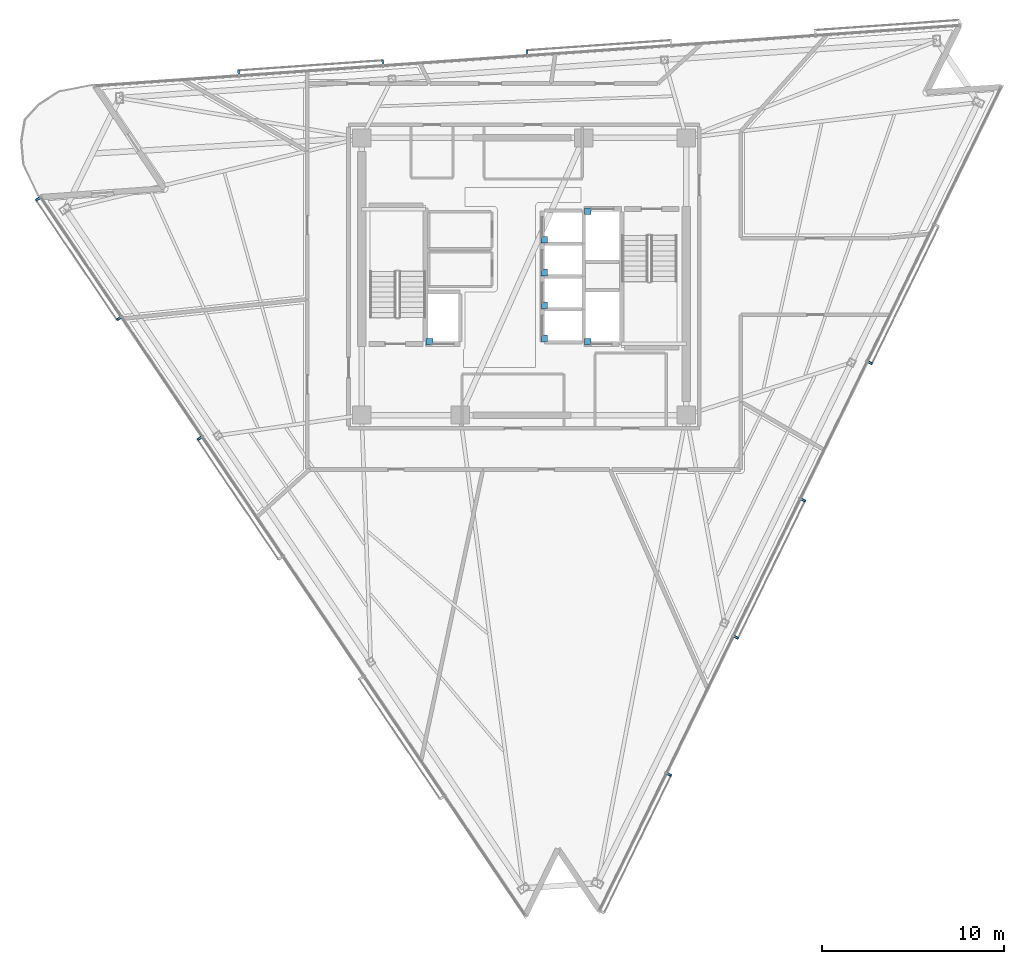
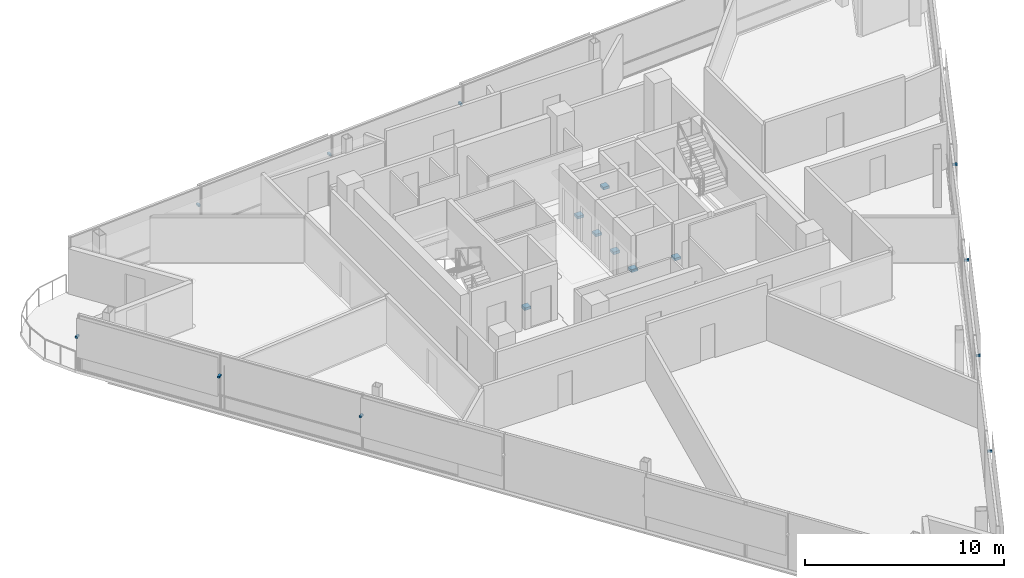
# One storey, part 12 of 16: 17 discrete accessories.
"""IFC4 building model written with IfcOpenShell, lengths in metres."""

from ifc_helpers import new_model, si_unit, direction, frame, origin, origin_2d, place, context, subcontext, project, spatial, rectangle, extrude, material, type_object, element, save


model = new_model("IFC4")

# Units and contexts
model_context = context("Model", 3, precision=1e-05, world=origin(), true_north=direction((0.0, 1.0)))
body_context = subcontext(model_context, "Body", "Model", "MODEL_VIEW")
ifc_project = project(units=[si_unit("LENGTHUNIT", "METRE"), si_unit("AREAUNIT", "SQUARE_METRE"), si_unit("VOLUMEUNIT", "CUBIC_METRE"), si_unit("PLANEANGLEUNIT", "RADIAN"), si_unit("MASSUNIT", "GRAM", prefix="KILO")], contexts=[model_context])

# Site, building, storey
site_placement = place(None, origin())
site = spatial("IfcSite", under=ifc_project, at=site_placement, CompositionType="ELEMENT")
building_placement = place(site_placement, origin())
building = spatial("IfcBuilding", under=site, at=building_placement, Name="Tharavind Bronze Gate", CompositionType="ELEMENT")
storey_placement = place(building_placement, frame((0.0, 0.0, 260.60009765625)))
storey = spatial("IfcBuildingStorey", under=building, at=storey_placement, Name="L67", CompositionType="ELEMENT", Elevation=260.60009765625)

# Discrete accessories
ifc_material_1 = material(Name="Galvanised Steel S355", Category="steel")
discrete_accessory_type_1 = type_object("IfcDiscreteAccessoryType", Name="LIFT GUIDE RAIL BRACKET", PredefinedType="BRACKET", material=ifc_material_1)
for number, where, z_axis, x_axis, name in (
    (1, (1.1201171875, -3.3798828125, 1.1201171875), (0.0, 0.0, 1.0), (1.0, 0.0, 0.0), "Lift PL9 guide rail bracket at L67"),
    (2, (1.1201171875, -1.580078125, 1.1201171875), (0.0, 0.0, 1.0), (1.0, 0.0, 0.0), "Lift PL10 guide rail bracket at L67"),
    (3, (1.1201171875, 0.219970703125, 1.1201171875), (0.0, 0.0, 1.0), (1.0, 0.0, 0.0), "Lift PL11 guide rail bracket at L67"),
    (4, (1.1201171875, 2.02001953125, 1.1201171875), (0.0, 0.0, 1.0), (1.0, 0.0, 0.0), "Lift PL12 guide rail bracket at L67"),
    (5, (-5.179931640625, -3.580078125, 1.1201171875), (0.0, 0.0, 1.0), (1.0, 0.0, 0.0), "Lift FFL1 guide rail bracket at L67"),
    (6, (3.5, 3.580078125, 1.1201171875), (0.0, 0.0, 1.0), (1.0, 0.0, 0.0), "Lift FFL2 guide rail bracket at L67"),
    (7, (3.5, -3.580078125, 1.1201171875), (0.0, 0.0, 1.0), (1.0, 0.0, 0.0), "Lift SVL1 guide rail bracket at L67"),
):
    element("IfcDiscreteAccessory", number, at=place(storey_placement, frame(where, z_axis=z_axis, x_axis=x_axis)), inside=storey, type_object=discrete_accessory_type_1, Name=name, PredefinedType="BRACKET", context=body_context, shape_type="SweptSolid", body=[
        extrude(rectangle(XDim=0.360107421875, YDim=0.360107421875, at=origin_2d()), origin(), (0.0, 0.0, 1.0), 0.159912109375),
    ])
ifc_material_2 = material(Name="Stainless Steel 316", Category="steel")
discrete_accessory_type_2 = type_object("IfcDiscreteAccessoryType", Name="SOLAR SCREEN STANDOFF BRACKET", PredefinedType="BRACKET", material=ifc_material_2)
for number, where, z_axis, x_axis, name in (
    (8, (-26.647216796875, 4.25146484375, 2.099853515625), (0.0, 0.0, 1.0), (0.559191456526, -0.82903854853, 0.0), "CW-L67-S1 solar screen bracket 1.1"),
    (9, (-22.21826171875, -2.314697265625, 2.099853515625), (0.0, 0.0, 1.0), (0.559191456526, -0.82903854853, 0.0), "CW-L67-S1 solar screen bracket 1.2"),
    (10, (-17.789306640625, -8.881103515625, 2.099853515625), (0.0, 0.0, 1.0), (0.559191456526, -0.82903854853, 0.0), "CW-L67-S1 solar screen bracket 3.1"),
    (11, (7.966064453125, -27.3154296875, 2.099853515625), (0.0, 0.0, 1.0), (0.43837271548, 0.898793281196, 0.0), "CW-L67-S2 solar screen bracket 1.2"),
    (12, (11.63623046875, -19.79052734375, 2.099853515625), (0.0, 0.0, 1.0), (0.43837271548, 0.898793281196, 0.0), "CW-L67-S2 solar screen bracket 3.1"),
    (13, (15.306396484375, -12.265380859375, 2.099853515625), (0.0, 0.0, 1.0), (0.43837271548, 0.898793281196, 0.0), "CW-L67-S2 solar screen bracket 3.2"),
    (14, (18.9765625, -4.740478515625, 2.099853515625), (0.0, 0.0, 1.0), (0.43837271548, 0.898793281196, 0.0), "CW-L67-S2 solar screen bracket 5.1"),
    (15, (0.164794921875, 12.283203125, 2.099853515625), (0.0, 0.0, 1.0), (-0.997563806758, -0.069759955899, 0.0), "CW-L67-S3 solar screen bracket 3.2"),
    (16, (-7.736328125, 11.730712890625, 2.099853515625), (0.0, 0.0, 1.0), (-0.997563806758, -0.069759955899, 0.0), "CW-L67-S3 solar screen bracket 5.1"),
    (17, (-15.63720703125, 11.177978515625, 2.099853515625), (0.0, 0.0, 1.0), (-0.997563806758, -0.069759955899, 0.0), "CW-L67-S3 solar screen bracket 5.2"),
):
    element("IfcDiscreteAccessory", number, at=place(storey_placement, frame(where, z_axis=z_axis, x_axis=x_axis)), inside=storey, type_object=discrete_accessory_type_2, Name=name, PredefinedType="BRACKET", context=body_context, shape_type="SweptSolid", body=[
        extrude(rectangle(XDim=0.1201171875, YDim=0.239990234375, at=origin_2d()), origin(), (0.0, 0.0, 1.0), 0.1201171875),
    ])

save(model, "model.ifc")
